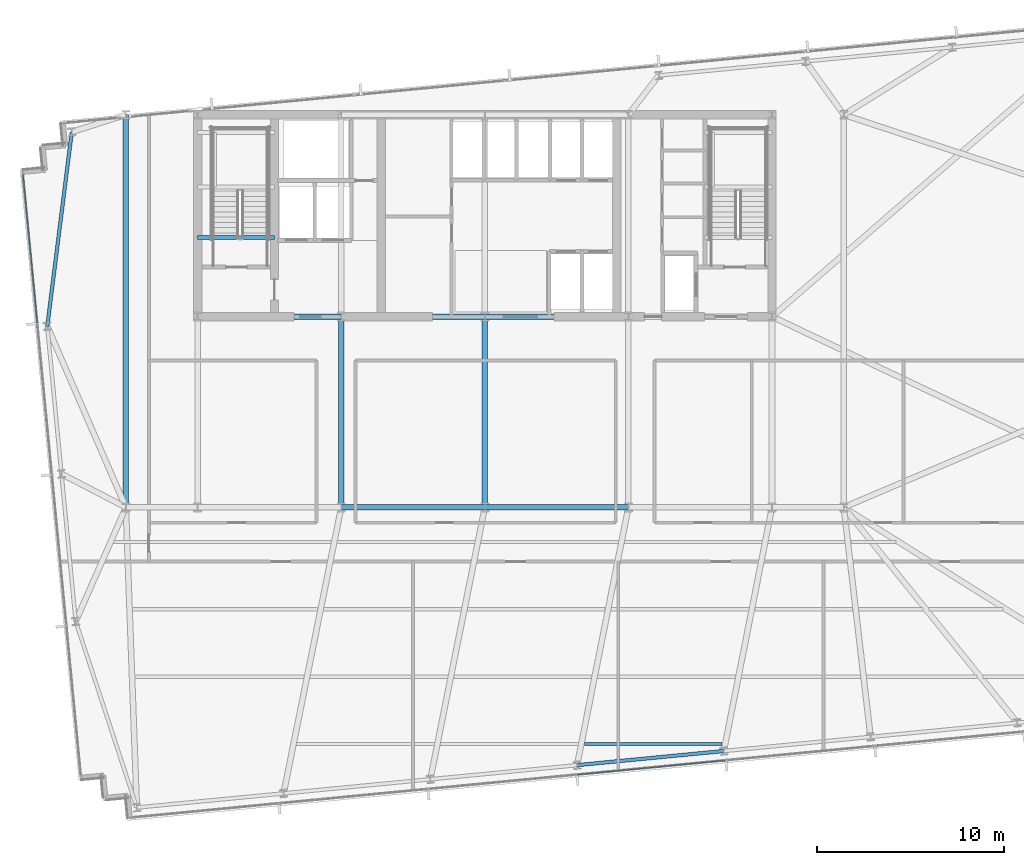
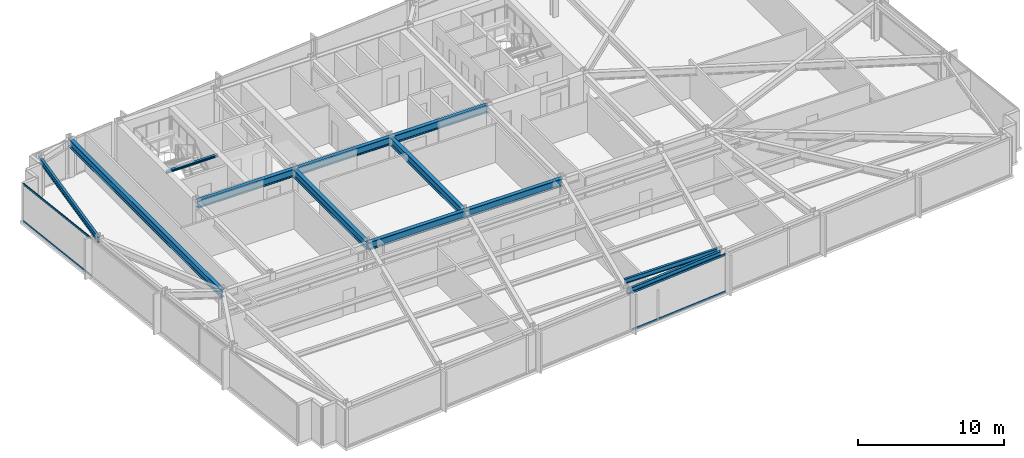
# One storey, part 9 of 32: 12 beams, 4 members, 2 elements without a shape of their own.
"""IFC4 building model written with IfcOpenShell, lengths in metres."""

from ifc_helpers import new_model, si_unit, direction, frame, origin, origin_2d, place, context, subcontext, project, spatial, hollow_rectangle, i_section, extrude, material, material_profile, profile_set, type_object, element, aggregate, save


model = new_model("IFC4")

# Units and contexts
model_context = context("Model", 3, precision=1e-05, world=origin(), true_north=direction((0.0, 1.0)))
body_context = subcontext(model_context, "Body", "Model", "MODEL_VIEW")
ifc_project = project(units=[si_unit("LENGTHUNIT", "METRE"), si_unit("AREAUNIT", "SQUARE_METRE"), si_unit("VOLUMEUNIT", "CUBIC_METRE"), si_unit("PLANEANGLEUNIT", "RADIAN"), si_unit("MASSUNIT", "GRAM", prefix="KILO")], contexts=[model_context])

# Site, building, storey
site_placement = place(None, origin())
site = spatial("IfcSite", under=ifc_project, at=site_placement, CompositionType="ELEMENT")
building_placement = place(site_placement, origin())
building = spatial("IfcBuilding", under=site, at=building_placement, Name="Yelkora Congress Tower", CompositionType="ELEMENT")
storey_placement = place(building_placement, frame((0.0, 0.0, 96.5)))
storey = spatial("IfcBuildingStorey", under=building, at=storey_placement, Name="L25", CompositionType="ELEMENT", Elevation=96.5)

# Beams
ifc_material_1 = material(Name="Steel S355J2", Category="steel")
ifc_material_profile_1 = material_profile(ifc_material_1, i_section(OverallWidth=0.300048828125, OverallDepth=0.64990234375, WebThickness=0.01611328125, FlangeThickness=0.031005859375, FilletRadius=0.027099609375, at=origin_2d()), Name="HEB 650")
ifc_profile_set_1 = profile_set([ifc_material_profile_1], Name="Steel S355J2")
beam_type_1 = type_object("IfcBeamType", Name="BM-GIRD-HEB650", PredefinedType="BEAM", material=ifc_profile_set_1)
beam_1_placement = place(storey_placement, frame((30.719970703125, 25.199951171875, 2.85498046875), z_axis=(1.0, 0.0, 0.0), x_axis=(0.0, 1.0, 0.0)))
element("IfcBeam", 1, at=beam_1_placement, inside=storey, type_object=beam_type_1, Name="L25 Spine Grid D Girder 3", PredefinedType="BEAM", context=body_context, shape_type="SweptSolid", body=[
    extrude(i_section(OverallWidth=0.300048828125, OverallDepth=0.64990234375, WebThickness=0.01611328125, FlangeThickness=0.031005859375, FilletRadius=0.027099609375, at=origin_2d()), origin(), (0.0, 0.0, 1.0), 7.679931640625),
])
beam_2_placement = place(storey_placement, frame((38.39990234375, 25.199951171875, 2.85498046875), z_axis=(1.0, 0.0, 0.0), x_axis=(0.0, 1.0, 0.0)))
element("IfcBeam", 2, at=beam_2_placement, inside=storey, type_object=beam_type_1, Name="L25 Spine Grid D Girder 4", PredefinedType="BEAM", context=body_context, shape_type="SweptSolid", body=[
    extrude(i_section(OverallWidth=0.300048828125, OverallDepth=0.64990234375, WebThickness=0.01611328125, FlangeThickness=0.031005859375, FilletRadius=0.027099609375, at=origin_2d()), origin(), (0.0, 0.0, 1.0), 7.68017578125),
])
for number, where, z_axis, x_axis, name in (
    (3, (23.0400390625, 35.39990234375, 2.85498046875), (1.0, 0.0, 0.0), (0.0, 1.0, 0.0), "L25 Core South Girder 1"),
    (4, (30.719970703125, 35.39990234375, 2.85498046875), (1.0, 0.0, 0.0), (0.0, 1.0, 0.0), "L25 Core South Girder 2"),
):
    element("IfcBeam", number, at=place(storey_placement, frame(where, z_axis=z_axis, x_axis=x_axis)), inside=storey, type_object=beam_type_1, Name=name, PredefinedType="BEAM", context=body_context, shape_type="SweptSolid", body=[
        extrude(i_section(OverallWidth=0.300048828125, OverallDepth=0.64990234375, WebThickness=0.01611328125, FlangeThickness=0.031005859375, FilletRadius=0.027099609375, at=origin_2d()), origin(), (0.0, 0.0, 1.0), 7.679931640625),
    ])
beam_3_placement = place(storey_placement, frame((38.39990234375, 35.39990234375, 2.85498046875), z_axis=(1.0, 0.0, 0.0), x_axis=(0.0, 1.0, 0.0)))
element("IfcBeam", 5, at=beam_3_placement, inside=storey, type_object=beam_type_1, Name="L25 Core South Girder 3", PredefinedType="BEAM", context=body_context, shape_type="SweptSolid", body=[
    extrude(i_section(OverallWidth=0.300048828125, OverallDepth=0.64990234375, WebThickness=0.01611328125, FlangeThickness=0.031005859375, FilletRadius=0.027099609375, at=origin_2d()), origin(), (0.0, 0.0, 1.0), 7.68017578125),
])
for number, where, z_axis, x_axis, name in (
    (6, (30.719970703125, 25.199951171875, 2.85498046875), (0.0, 1.0, 0.0), (-1.0, 0.0, 0.0), "L25 Core Tie Girder MC-D2"),
    (7, (38.39990234375, 25.199951171875, 2.85498046875), (0.0, 1.0, 0.0), (-1.0, 0.0, 0.0), "L25 Core Tie Girder MC-D3"),
):
    element("IfcBeam", number, at=place(storey_placement, frame(where, z_axis=z_axis, x_axis=x_axis)), inside=storey, type_object=beam_type_1, Name=name, PredefinedType="BEAM", context=body_context, shape_type="SweptSolid", body=[
        extrude(i_section(OverallWidth=0.300048828125, OverallDepth=0.64990234375, WebThickness=0.01611328125, FlangeThickness=0.031005859375, FilletRadius=0.027099609375, at=origin_2d()), origin(), (0.0, 0.0, 1.0), 10.199951171875),
    ])
beam_4_placement = place(storey_placement, frame((19.199951171875, 25.199951171875, 2.85498046875), z_axis=(0.0, 1.0, 0.0), x_axis=(-1.0, 0.0, 0.0)))
element("IfcBeam", 8, at=beam_4_placement, inside=storey, type_object=beam_type_1, Name="L25 Neck Flank Girder MC-F1", PredefinedType="BEAM", context=body_context, shape_type="SweptSolid", body=[
    extrude(i_section(OverallWidth=0.300048828125, OverallDepth=0.64990234375, WebThickness=0.01611328125, FlangeThickness=0.031005859375, FilletRadius=0.027099609375, at=origin_2d()), origin(), (0.0, 0.0, 1.0), 21.0),
])
ifc_material_profile_2 = material_profile(ifc_material_1, i_section(OverallWidth=0.179931640625, OverallDepth=0.39990234375, WebThickness=0.008544921875, FlangeThickness=0.013427734375, FilletRadius=0.02099609375, at=origin_2d()), Name="IPE 400")
ifc_profile_set_2 = profile_set([ifc_material_profile_2], Name="Steel S355J2")
beam_type_2 = type_object("IfcBeamType", Name="BM-JOIST-IPE400", PredefinedType="JOIST", material=ifc_profile_set_2)
beam_5_placement = place(storey_placement, frame((43.7197265625, 12.54443359375, 2.97998046875), z_axis=(1.0, 0.0, 0.0), x_axis=(0.0, 1.0, 0.0)))
element("IfcBeam", 9, at=beam_5_placement, inside=storey, type_object=beam_type_2, Name="L25 Composite Floor Joist 3", PredefinedType="JOIST", context=body_context, shape_type="SweptSolid", body=[
    extrude(i_section(OverallWidth=0.179931640625, OverallDepth=0.39990234375, WebThickness=0.008544921875, FlangeThickness=0.013427734375, FilletRadius=0.02099609375, at=origin_2d()), origin(), (0.0, 0.0, 1.0), 7.37841796875),
])
ifc_material_profile_3 = material_profile(ifc_material_1, i_section(OverallWidth=0.199951171875, OverallDepth=0.18994140625, WebThickness=0.006591796875, FlangeThickness=0.010009765625, FilletRadius=0.01806640625, at=origin_2d()), Name="HEA 200")
ifc_profile_set_3 = profile_set([ifc_material_profile_3], Name="Steel S355J2")
beam_type_3 = type_object("IfcBeamType", Name="BM-LAND-HEA200", PredefinedType="BEAM", material=ifc_profile_set_3)
beam_6_placement = place(storey_placement, frame((23.0400390625, 39.639892578125, 2.947509765625), z_axis=(1.0, 0.0, 0.0), x_axis=(0.0, 1.0, 0.0)))
element("IfcBeam", 10, at=beam_6_placement, inside=storey, type_object=beam_type_3, Name="ST-01 L25 Floor Arrival Stringer Header Beam", PredefinedType="BEAM", context=body_context, shape_type="SweptSolid", body=[
    extrude(i_section(OverallWidth=0.199951171875, OverallDepth=0.18994140625, WebThickness=0.006591796875, FlangeThickness=0.010009765625, FilletRadius=0.01806640625, at=origin_2d()), origin(), (0.0, 0.0, 1.0), 4.10986328125),
])
ifc_material_profile_4 = material_profile(ifc_material_1, i_section(OverallWidth=0.18994140625, OverallDepth=0.449951171875, WebThickness=0.009521484375, FlangeThickness=0.0146484375, FilletRadius=0.02099609375, at=origin_2d()), Name="IPE 450")
ifc_profile_set_4 = profile_set([ifc_material_profile_4], Name="Steel S355J2")
beam_type_4 = type_object("IfcBeamType", Name="BM-SPAN-IPE450", PredefinedType="SPANDREL", material=ifc_profile_set_4)
beam_7_placement = place(storey_placement, frame((43.334228515625, 11.411865234375, 2.955078125), z_axis=(0.995398529126, 0.09582154358, 0.0), x_axis=(-0.09582154358, 0.995398529126, 0.0)))
element("IfcBeam", 11, at=beam_7_placement, inside=storey, type_object=beam_type_4, Name="L25 Perimeter Beam 6", PredefinedType="SPANDREL", context=body_context, shape_type="SweptSolid", body=[
    extrude(i_section(OverallWidth=0.18994140625, OverallDepth=0.449951171875, WebThickness=0.009521484375, FlangeThickness=0.0146484375, FilletRadius=0.02099609375, at=origin_2d()), origin(), (0.0, 0.0, 1.0), 7.8857421875),
])
beam_8_placement = place(storey_placement, frame((16.306884765625, 45.27734375, 2.955078125), z_axis=(-0.124952129665, -0.992162771571, 0.0), x_axis=(0.992162771571, -0.124952129665, 0.0)))
element("IfcBeam", 12, at=beam_8_placement, inside=storey, type_object=beam_type_4, Name="L25 Perimeter Beam 18", PredefinedType="SPANDREL", context=body_context, shape_type="SweptSolid", body=[
    extrude(i_section(OverallWidth=0.18994140625, OverallDepth=0.449951171875, WebThickness=0.009521484375, FlangeThickness=0.0146484375, FilletRadius=0.02099609375, at=origin_2d()), origin(), (0.0, 0.0, 1.0), 10.48046875),
])

# Curtain wall, members
ifc_material_2 = material(Name="Anodised aluminium and insulated glass", Category="aluminium")
curtain_wall_type = type_object("IfcCurtainWallType", Name="CW-SYS-B2", PredefinedType="NOTDEFINED", material=ifc_material_2)
curtain_wall_1_placement = place(storey_placement, origin())
curtain_wall_1 = element("IfcCurtainWall", 13, at=curtain_wall_1_placement, inside=storey, type_object=curtain_wall_type, Name="L25 Unitised Curtain Wall 5", PredefinedType="NOTDEFINED")
ifc_material_3 = material(Name="Anodised aluminium 6063-T6", Category="aluminium")
ifc_material_profile_5 = material_profile(ifc_material_3, hollow_rectangle(XDim=0.06494140625, YDim=0.159912109375, WallThickness=0.00390625, at=origin_2d()), Name="ALU 65x160x4")
ifc_profile_set_5 = profile_set([ifc_material_profile_5], Name="Anodised aluminium 6063-T6")
member_type = type_object("IfcMemberType", Name="MEM-TR-B2", PredefinedType="USERDEFINED", material=ifc_profile_set_5)
member_1_placement = place(storey_placement, frame((14.466796875, 35.06884765625, 0.032470703125), z_axis=(-0.095858482834, 0.995394972495, 0.0), x_axis=(-0.995394972495, -0.095858482834, 0.0)))
member_1 = element("IfcMember", 14, at=member_1_placement, type_object=member_type, Name="CW-B2 transom 4.1", ObjectType="TRANSOM", PredefinedType="USERDEFINED", context=body_context, shape_type="SweptSolid", body=[
    extrude(hollow_rectangle(XDim=0.06494140625, YDim=0.159912109375, WallThickness=0.00390625, at=origin_2d()), origin(), (0.0, 0.0, 1.0), 8.025146484375),
])
member_2_placement = place(storey_placement, frame((14.466796875, 35.06884765625, 3.1474609375), z_axis=(-0.095858482834, 0.995394972495, 0.0), x_axis=(-0.995394972495, -0.095858482834, 0.0)))
member_2 = element("IfcMember", 15, at=member_2_placement, type_object=member_type, Name="CW-B2 transom 4.2", ObjectType="TRANSOM", PredefinedType="USERDEFINED", context=body_context, shape_type="SweptSolid", body=[
    extrude(hollow_rectangle(XDim=0.06494140625, YDim=0.159912109375, WallThickness=0.00390625, at=origin_2d()), origin(), (0.0, 0.0, 1.0), 8.025146484375),
])
aggregate(curtain_wall_1, [member_1, member_2])

curtain_wall_2_placement = place(storey_placement, origin())
curtain_wall_2 = element("IfcCurtainWall", 16, at=curtain_wall_2_placement, inside=storey, type_object=curtain_wall_type, Name="L25 Unitised Curtain Wall 20", PredefinedType="NOTDEFINED")
member_3_placement = place(storey_placement, frame((51.255859375, 11.662353515625, 0.032470703125), z_axis=(-0.995394074338, -0.095867808848, 0.0), x_axis=(0.095867808848, -0.995394074338, 0.0)))
member_3 = element("IfcMember", 17, at=member_3_placement, type_object=member_type, Name="CW-B2 transom 4.1", ObjectType="TRANSOM", PredefinedType="USERDEFINED", context=body_context, shape_type="SweptSolid", body=[
    extrude(hollow_rectangle(XDim=0.06494140625, YDim=0.159912109375, WallThickness=0.00390625, at=origin_2d()), origin(), (0.0, 0.0, 1.0), 7.932861328125),
])
member_4_placement = place(storey_placement, frame((51.255859375, 11.662353515625, 3.1474609375), z_axis=(-0.995394074338, -0.095867808848, 0.0), x_axis=(0.095867808848, -0.995394074338, 0.0)))
member_4 = element("IfcMember", 18, at=member_4_placement, type_object=member_type, Name="CW-B2 transom 4.2", ObjectType="TRANSOM", PredefinedType="USERDEFINED", context=body_context, shape_type="SweptSolid", body=[
    extrude(hollow_rectangle(XDim=0.06494140625, YDim=0.159912109375, WallThickness=0.00390625, at=origin_2d()), origin(), (0.0, 0.0, 1.0), 7.932861328125),
])
aggregate(curtain_wall_2, [member_3, member_4])

save(model, "model.ifc")
